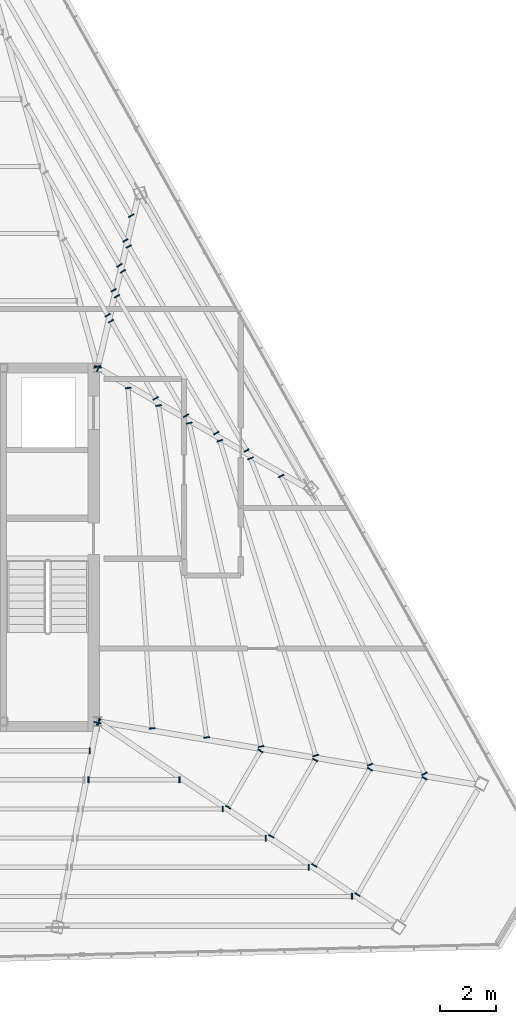
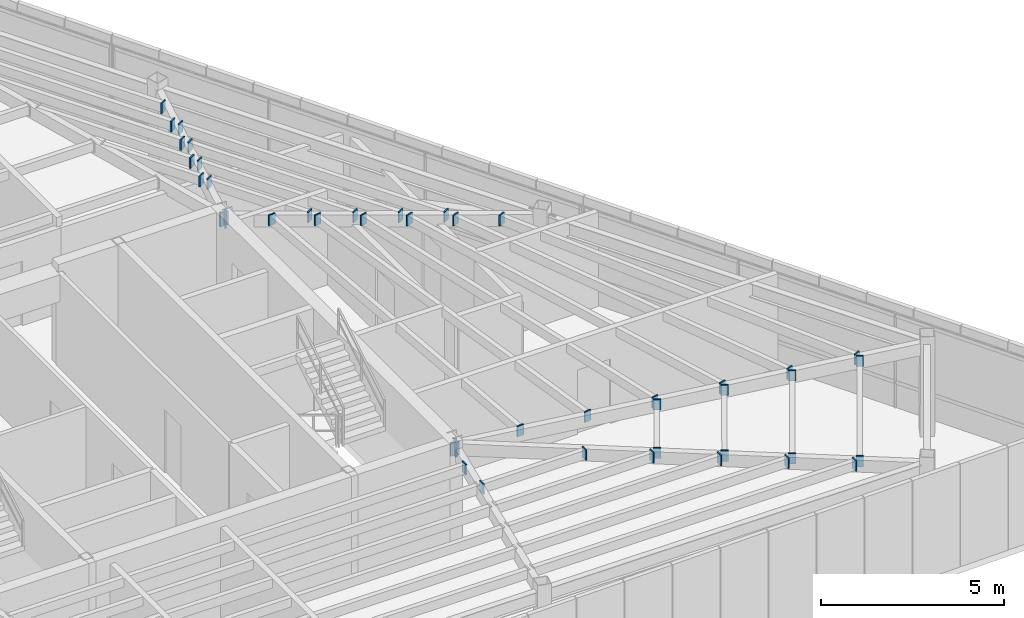
# One storey, part 41 of 47: 46 plates.
"""IFC4 building model written with IfcOpenShell, lengths in metres."""

from ifc_helpers import new_model, si_unit, direction, frame, origin, origin_2d, place, context, subcontext, project, spatial, rectangle, extrude, source, transform, mapped, material, layer, layer_set, type_object, type_shapes, element, save


model = new_model("IFC4")

# Units and contexts
model_context = context("Model", 3, precision=1e-05, world=origin(), true_north=direction((0.0, 1.0)))
body_context = subcontext(model_context, "Body", "Model", "MODEL_VIEW")
ifc_project = project(units=[si_unit("LENGTHUNIT", "METRE"), si_unit("AREAUNIT", "SQUARE_METRE"), si_unit("VOLUMEUNIT", "CUBIC_METRE"), si_unit("PLANEANGLEUNIT", "RADIAN"), si_unit("MASSUNIT", "GRAM", prefix="KILO")], contexts=[model_context])

# Site, building, storey
site_placement = place(None, origin())
site = spatial("IfcSite", under=ifc_project, at=site_placement, CompositionType="ELEMENT")
building_placement = place(site_placement, origin())
building = spatial("IfcBuilding", under=site, at=building_placement, Name="Caelisora Broadcast Tower", CompositionType="ELEMENT")
storey_placement = place(building_placement, frame((0.0, 0.0, 293.199951171875)))
storey = spatial("IfcBuildingStorey", under=building, at=storey_placement, Name="L77", CompositionType="ELEMENT", Elevation=293.199951171875)

# Plates
ifc_material = material(Name="Steel Grade 350 L15 (AS/NZS 3678)", Category="steel")
ifc_layer = layer(ifc_material, 0.0400390625, Name="Steel Grade 350 L15 (AS/NZS 3678)")
ifc_layer_set = layer_set([ifc_layer], Name="Steel Grade 350 L15 (AS/NZS 3678)")
plate_type = type_object("IfcPlateType", Name="GP04", PredefinedType="USERDEFINED", material=ifc_layer_set)
shared_shape_1 = source(origin(), body_context, "Body", "SweptSolid", [
    extrude(rectangle(XDim=0.260009765625, YDim=0.0400390625, at=origin_2d()), origin(), (0.0, 0.0, 1.0), 0.4599609375),
])
for number, where, z_axis, x_axis, name in (
    (1, (45.489501953125, 30.03857421875, 2.719970703125), (0.0, 0.0, 1.0), (-0.964049041264, -0.265724379832, 0.0), "L77 gusset plate GP04 (ND-RAD-L77-01)"),
    (2, (45.492431640625, 17.360595703125, 2.719970703125), (0.0, 0.0, 1.0), (0.981593866045, -0.190980318733, 0.0), "L77 gusset plate GP04 (ND-RAD-L77-08)"),
    (3, (45.533203125, 17.377685546875, 2.719970703125), (0.0, 0.0, 1.0), (0.560060762816, 0.828451532652, 0.0), "L77 gusset plate GP04 (ND-RAD-L77-09)"),
    (4, (45.53955078125, 17.393310546875, 2.719970703125), (0.0, 0.0, 1.0), (0.164359008451, 0.986400586142, 0.0), "L77 gusset plate GP04 (ND-RAD-L77-10)"),
    (5, (45.53466796875, 29.97998046875, 2.719970703125), (0.0, 0.0, 1.0), (0.497579654441, 0.867418288651, 0.0), "L77 gusset plate GP04 (ND-RAD-L77-11)"),
    (6, (45.50927734375, 30.038818359375, 2.719970703125), (0.0, 0.0, 1.0), (-0.973058285621, 0.230559260896, 0.0), "L77 gusset plate GP04 (ND-RAD-L77-12)"),
):
    element("IfcPlate", number, at=place(storey_placement, frame(where, z_axis=z_axis, x_axis=x_axis)), inside=storey, type_object=plate_type, Name=name, ObjectType="GUSSET PLATE", PredefinedType="USERDEFINED", context=body_context, shape_type="MappedRepresentation", body=[
        mapped(shared_shape_1, transform((0.0, 0.0, 0.0), scale=1.0)),
    ])
shared_shape_2 = source(origin(), body_context, "Body", "SweptSolid", [
    extrude(rectangle(XDim=0.2099609375, YDim=0.0400390625, at=origin_2d()), origin(), (0.0, 0.0, 1.0), 0.360107421875),
])
type_shapes(plate_type, [shared_shape_1, shared_shape_2])
for number, where, z_axis, x_axis, name in (
    (7, (45.218994140625, 16.361083984375, 2.81982421875), (0.0, 0.0, 1.0), (0.0, 1.0, 0.0), "L77 gusset plate GP04 (ND-SB-L77-031B)"),
    (8, (45.174560546875, 15.322265625, 2.81982421875), (0.0, 0.0, 1.0), (0.0, 1.0, 0.0), "L77 gusset plate GP04 (ND-SB-L77-037A)"),
    (9, (48.41748046875, 15.322265625, 2.81982421875), (0.0, 0.0, 1.0), (0.0, 1.0, 0.0), "L77 gusset plate GP04 (ND-SB-L77-037B)"),
    (10, (49.953857421875, 14.283447265625, 2.81982421875), (0.0, 0.0, 1.0), (0.0, 1.0, 0.0), "L77 gusset plate GP04 (ND-SB-L77-038B)"),
    (11, (51.490478515625, 13.24462890625, 2.81982421875), (0.0, 0.0, 1.0), (0.0, 1.0, 0.0), "L77 gusset plate GP04 (ND-SB-L77-039B)"),
    (12, (53.02685546875, 12.205810546875, 2.81982421875), (0.0, 0.0, 1.0), (0.0, 1.0, 0.0), "L77 gusset plate GP04 (ND-SB-L77-040B)"),
    (13, (54.563232421875, 11.1669921875, 2.81982421875), (0.0, 0.0, 1.0), (0.0, 1.0, 0.0), "L77 gusset plate GP04 (ND-SB-L77-041B)"),
    (14, (50.148193359375, 14.3505859375, 2.81982421875), (0.0, 0.0, 1.0), (-0.866025403784, 0.5, 0.0), "L77 gusset plate GP04 (ND-SB-L77-042A)"),
    (15, (51.30419921875, 16.35302734375, 2.81982421875), (0.0, 0.0, 1.0), (-0.866025403784, 0.5, 0.0), "L77 gusset plate GP04 (ND-SB-L77-042B)"),
    (16, (51.6845703125, 13.3115234375, 2.81982421875), (0.0, 0.0, 1.0), (-0.866025403784, 0.5, 0.0), "L77 gusset plate GP04 (ND-SB-L77-043A)"),
    (17, (53.2529296875, 16.0283203125, 2.81982421875), (0.0, 0.0, 1.0), (-0.866025403784, 0.5, 0.0), "L77 gusset plate GP04 (ND-SB-L77-043B)"),
    (18, (53.220947265625, 12.272705078125, 2.81982421875), (0.0, 0.0, 1.0), (-0.866025403784, 0.5, 0.0), "L77 gusset plate GP04 (ND-SB-L77-044A)"),
    (19, (55.20166015625, 15.703369140625, 2.81982421875), (0.0, 0.0, 1.0), (-0.866025403784, 0.5, 0.0), "L77 gusset plate GP04 (ND-SB-L77-044B)"),
    (20, (54.757568359375, 11.23388671875, 2.81982421875), (0.0, 0.0, 1.0), (-0.866025403784, 0.5, 0.0), "L77 gusset plate GP04 (ND-SB-L77-045A)"),
    (21, (57.150390625, 15.378662109375, 2.81982421875), (0.0, 0.0, 1.0), (-0.866025403784, 0.5, 0.0), "L77 gusset plate GP04 (ND-SB-L77-045B)"),
    (22, (47.443115234375, 17.15478515625, 2.81982421875), (0.0, 0.0, 1.0), (-0.997515107958, -0.070452887775, 0.0), "L77 gusset plate GP04 (ND-SB-L77-046A)"),
    (23, (46.586181640625, 29.28369140625, 2.81982421875), (0.0, 0.0, 1.0), (-0.997515107958, -0.070452887775, 0.0), "L77 gusset plate GP04 (ND-SB-L77-046B)"),
    (24, (49.3857421875, 16.83154296875, 2.81982421875), (0.0, 0.0, 1.0), (-0.989676415933, -0.143319893055, 0.0), "L77 gusset plate GP04 (ND-SB-L77-047A)"),
    (25, (47.673583984375, 28.65869140625, 2.81982421875), (0.0, 0.0, 1.0), (-0.989676415933, -0.143319893055, 0.0), "L77 gusset plate GP04 (ND-SB-L77-047B)"),
    (26, (51.32763671875, 16.508544921875, 2.81982421875), (0.0, 0.0, 1.0), (-0.976106756203, -0.217291510406, 0.0), "L77 gusset plate GP04 (ND-SB-L77-048A)"),
    (27, (48.7626953125, 28.032958984375, 2.81982421875), (0.0, 0.0, 1.0), (-0.976106756203, -0.217291510406, 0.0), "L77 gusset plate GP04 (ND-SB-L77-048B)"),
    (28, (53.26904296875, 16.185546875, 2.81982421875), (0.0, 0.0, 1.0), (-0.956661241594, -0.291203140148, 0.0), "L77 gusset plate GP04 (ND-SB-L77-049A)"),
    (29, (49.853515625, 27.40576171875, 2.81982421875), (0.0, 0.0, 1.0), (-0.956661241594, -0.291203140148, 0.0), "L77 gusset plate GP04 (ND-SB-L77-049B)"),
    (30, (55.209716796875, 15.863037109375, 2.81982421875), (0.0, 0.0, 1.0), (-0.931500901981, -0.363739013043, 0.0), "L77 gusset plate GP04 (ND-SB-L77-050A)"),
    (31, (50.94677734375, 26.777099609375, 2.81982421875), (0.0, 0.0, 1.0), (-0.931500901981, -0.363739013043, 0.0), "L77 gusset plate GP04 (ND-SB-L77-050B)"),
    (32, (57.149169921875, 15.540771484375, 2.81982421875), (0.0, 0.0, 1.0), (-0.90100131981, -0.43381634559, 0.0), "L77 gusset plate GP04 (ND-SB-L77-051A)"),
    (33, (52.043212890625, 26.146728515625, 2.81982421875), (0.0, 0.0, 1.0), (-0.90100131981, -0.43381634559, 0.0), "L77 gusset plate GP04 (ND-SB-L77-051B)"),
    (34, (47.57080078125, 28.914306640625, 2.81982421875), (0.0, 0.0, 1.0), (-0.866025403784, -0.5, 0.0), "L77 gusset plate GP04 (ND-SB-L77-052A)"),
    (35, (45.981689453125, 31.666748046875, 2.81982421875), (0.0, 0.0, 1.0), (-0.866025403784, -0.5, 0.0), "L77 gusset plate GP04 (ND-SB-L77-052B)"),
    (36, (48.650146484375, 28.294921875, 2.81982421875), (0.0, 0.0, 1.0), (-0.866025403784, -0.5, 0.0), "L77 gusset plate GP04 (ND-SB-L77-053A)"),
    (37, (46.191650390625, 32.55322265625, 2.81982421875), (0.0, 0.0, 1.0), (-0.866025403784, -0.5, 0.0), "L77 gusset plate GP04 (ND-SB-L77-053B)"),
    (38, (49.729736328125, 27.67578125, 2.81982421875), (0.0, 0.0, 1.0), (-0.866025403784, -0.5, 0.0), "L77 gusset plate GP04 (ND-SB-L77-054A)"),
    (39, (46.40185546875, 33.43994140625, 2.81982421875), (0.0, 0.0, 1.0), (-0.866025403784, -0.5, 0.0), "L77 gusset plate GP04 (ND-SB-L77-054B)"),
    (40, (50.80908203125, 27.056884765625, 2.81982421875), (0.0, 0.0, 1.0), (-0.866025403784, -0.5, 0.0), "L77 gusset plate GP04 (ND-SB-L77-055A)"),
    (41, (46.61181640625, 34.326416015625, 2.81982421875), (0.0, 0.0, 1.0), (-0.866025403784, -0.5, 0.0), "L77 gusset plate GP04 (ND-SB-L77-055B)"),
    (42, (45.85888671875, 31.87939453125, 2.81982421875), (0.0, 0.0, 1.0), (-0.866025403784, -0.5, 0.0), "L77 gusset plate GP04 (ND-SB-L77-056A)"),
    (43, (46.069091796875, 32.765869140625, 2.81982421875), (0.0, 0.0, 1.0), (-0.866025403784, -0.5, 0.0), "L77 gusset plate GP04 (ND-SB-L77-057A)"),
    (44, (46.279052734375, 33.65234375, 2.81982421875), (0.0, 0.0, 1.0), (-0.866025403784, -0.5, 0.0), "L77 gusset plate GP04 (ND-SB-L77-058A)"),
    (45, (46.4892578125, 34.538818359375, 2.81982421875), (0.0, 0.0, 1.0), (-0.866025403784, -0.5, 0.0), "L77 gusset plate GP04 (ND-SB-L77-059A)"),
    (46, (46.69921875, 35.42529296875, 2.81982421875), (0.0, 0.0, 1.0), (-0.866025403784, -0.5, 0.0), "L77 gusset plate GP04 (ND-SB-L77-060A)"),
):
    element("IfcPlate", number, at=place(storey_placement, frame(where, z_axis=z_axis, x_axis=x_axis)), inside=storey, type_object=plate_type, Name=name, ObjectType="GUSSET PLATE", PredefinedType="USERDEFINED", context=body_context, shape_type="MappedRepresentation", body=[
        mapped(shared_shape_2, transform((0.0, 0.0, 0.0), scale=1.0)),
    ])

save(model, "model.ifc")
